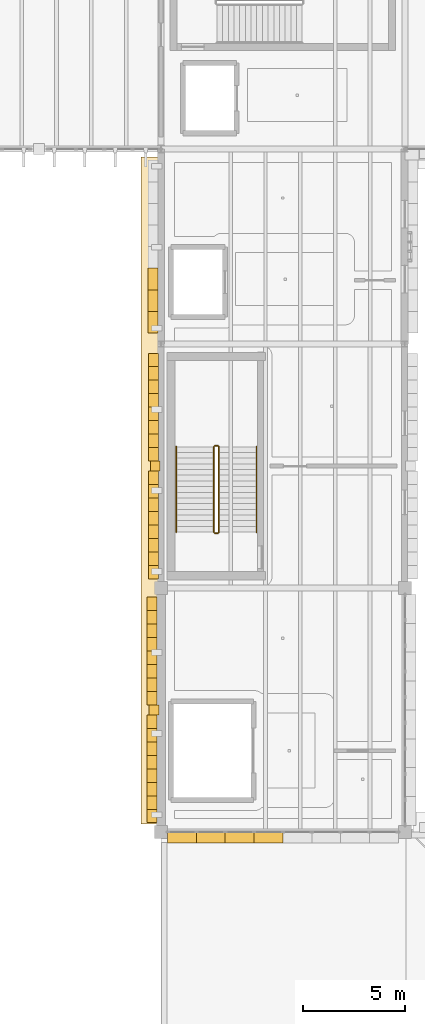
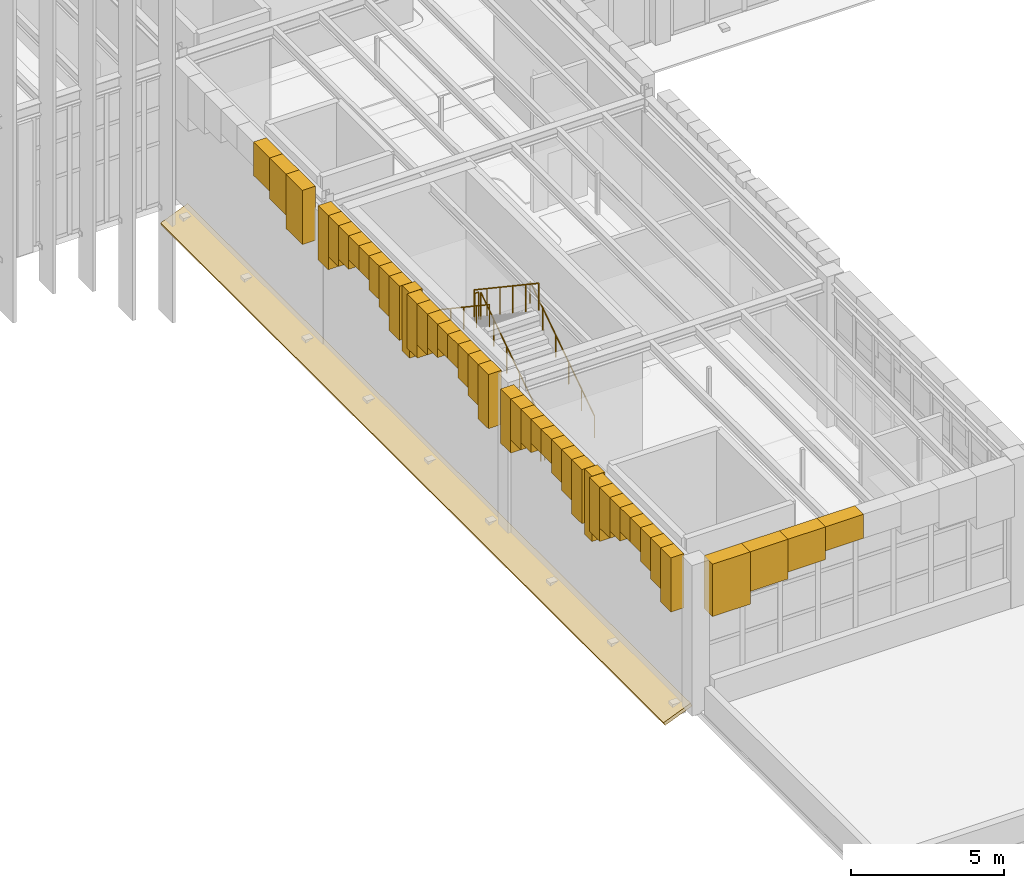
# One storey, part 60 of 83: 42 coverings, 6 railings.
"""IFC4 building model written with IfcOpenShell, lengths in metres."""

from ifc_helpers import new_model, si_unit, direction, frame, origin, origin_2d, place, context, subcontext, project, spatial, polyline, circle, outline, extrude, material, layer, layer_set, type_object, element, save


model = new_model("IFC4")

# Units and contexts
model_context = context("Model", 3, precision=1e-05, world=origin(), true_north=direction((0.0, 1.0)))
body_context = subcontext(model_context, "Body", "Model", "MODEL_VIEW")
ifc_project = project(units=[si_unit("LENGTHUNIT", "METRE"), si_unit("AREAUNIT", "SQUARE_METRE"), si_unit("VOLUMEUNIT", "CUBIC_METRE"), si_unit("PLANEANGLEUNIT", "RADIAN"), si_unit("MASSUNIT", "GRAM", prefix="KILO")], contexts=[model_context])

# Site, building, storey
site_placement = place(None, origin())
site = spatial("IfcSite", under=ifc_project, at=site_placement, CompositionType="ELEMENT")
building_placement = place(site_placement, origin())
building = spatial("IfcBuilding", under=site, at=building_placement, Name="Zlatogorsky Bluff Art Gallery", CompositionType="ELEMENT")
storey_placement = place(building_placement, frame((0.0, 0.0, 10.800048828125)))
storey = spatial("IfcBuildingStorey", under=building, at=storey_placement, Name="L02", CompositionType="ELEMENT", Elevation=10.800048828125)

# Coverings
ifc_material_1 = material(Name="Honed Red Agra-Tone Quartzitic Sandstone", Category="masonry")
ifc_layer = layer(ifc_material_1, 0.1201171875)
ifc_layer_set = layer_set([ifc_layer], Name="Carved Sandstone Cladding CLD-02")
covering_type = type_object("IfcCoveringType", Name="Carved Sandstone Cladding CLD-02", PredefinedType="CLADDING", material=ifc_layer_set)
covering_1_placement = place(storey_placement, frame((0.0, 0.0, 3.877685546875)))
element("IfcCovering", 1, at=covering_1_placement, inside=storey, type_object=covering_type, Name="Pointed Mughal arch voussoir spandrel ARCH-CW-L02-S-10-05.1", PredefinedType="CLADDING", context=body_context, shape_type="SweptSolid", body=[
    extrude(outline(polyline([(120.320068359375, 49.860107421875), (121.739990234375, 49.860107421875), (121.739990234375, 50.429931640625), (120.320068359375, 50.429931640625), (120.320068359375, 49.860107421875)])), origin(), (0.0, 0.0, 1.0), 2.082275390625),
])
covering_2_placement = place(storey_placement, frame((0.0, 0.0, 4.379638671875)))
element("IfcCovering", 2, at=covering_2_placement, inside=storey, type_object=covering_type, Name="Pointed Mughal arch voussoir spandrel ARCH-CW-L02-S-10-05.2", PredefinedType="CLADDING", context=body_context, shape_type="SweptSolid", body=[
    extrude(outline(polyline([(121.739990234375, 49.860107421875), (123.159912109375, 49.860107421875), (123.159912109375, 50.429931640625), (121.739990234375, 50.429931640625), (121.739990234375, 49.860107421875)])), origin(), (0.0, 0.0, 1.0), 1.580322265625),
])
covering_3_placement = place(storey_placement, frame((0.0, 0.0, 4.65625)))
element("IfcCovering", 3, at=covering_3_placement, inside=storey, type_object=covering_type, Name="Pointed Mughal arch voussoir spandrel ARCH-CW-L02-S-10-05.3", PredefinedType="CLADDING", context=body_context, shape_type="SweptSolid", body=[
    extrude(outline(polyline([(123.159912109375, 49.860107421875), (124.580078125, 49.860107421875), (124.580078125, 50.429931640625), (123.159912109375, 50.429931640625), (123.159912109375, 49.860107421875)])), origin(), (0.0, 0.0, 1.0), 1.3037109375),
])
covering_4_placement = place(storey_placement, frame((0.0, 0.0, 5.00439453125)))
element("IfcCovering", 4, at=covering_4_placement, inside=storey, type_object=covering_type, Name="Pointed Mughal arch voussoir spandrel ARCH-CW-L02-S-10-05.4", PredefinedType="CLADDING", context=body_context, shape_type="SweptSolid", body=[
    extrude(outline(polyline([(124.580078125, 49.860107421875), (126.0, 49.860107421875), (126.0, 50.429931640625), (124.580078125, 50.429931640625), (124.580078125, 49.860107421875)])), origin(), (0.0, 0.0, 1.0), 0.95556640625),
])
covering_5_placement = place(storey_placement, frame((0.0, 0.0, 3.35986328125)))
element("IfcCovering", 5, at=covering_5_placement, inside=storey, type_object=covering_type, Name="Mughal blind-arch sandstone pilaster L02.W.10.5", PredefinedType="CLADDING", context=body_context, shape_type="SweptSolid", body=[
    extrude(outline(polyline([(119.419921875, 56.159912109375), (119.89990234375, 56.159912109375), (119.89990234375, 56.639892578125), (119.419921875, 56.639892578125), (119.419921875, 56.159912109375)])), origin(), (0.0, 0.0, 1.0), 2.60009765625),
])
covering_6_placement = place(storey_placement, frame((0.0, 0.0, 3.80224609375)))
element("IfcCovering", 6, at=covering_6_placement, inside=storey, type_object=covering_type, Name="Pointed Mughal arch voussoir spandrel WARCH-L02-W-10-05-A.1", PredefinedType="CLADDING", context=body_context, shape_type="SweptSolid", body=[
    extrude(outline(polyline([(119.320068359375, 50.85009765625), (119.320068359375, 51.512451171875), (119.81005859375, 51.512451171875), (119.81005859375, 50.85009765625), (119.320068359375, 50.85009765625)])), origin(), (0.0, 0.0, 1.0), 2.15771484375),
])
covering_7_placement = place(storey_placement, frame((0.0, 0.0, 4.333740234375)))
element("IfcCovering", 7, at=covering_7_placement, inside=storey, type_object=covering_type, Name="Pointed Mughal arch voussoir spandrel WARCH-L02-W-10-05-A.2", PredefinedType="CLADDING", context=body_context, shape_type="SweptSolid", body=[
    extrude(outline(polyline([(119.320068359375, 51.512451171875), (119.320068359375, 52.175048828125), (119.81005859375, 52.175048828125), (119.81005859375, 51.512451171875), (119.320068359375, 51.512451171875)])), origin(), (0.0, 0.0, 1.0), 1.626220703125),
])
covering_8_placement = place(storey_placement, frame((0.0, 0.0, 4.626708984375)))
element("IfcCovering", 8, at=covering_8_placement, inside=storey, type_object=covering_type, Name="Pointed Mughal arch voussoir spandrel WARCH-L02-W-10-05-A.3", PredefinedType="CLADDING", context=body_context, shape_type="SweptSolid", body=[
    extrude(outline(polyline([(119.320068359375, 52.175048828125), (119.320068359375, 52.83740234375), (119.81005859375, 52.83740234375), (119.81005859375, 52.175048828125), (119.320068359375, 52.175048828125)])), origin(), (0.0, 0.0, 1.0), 1.333251953125),
])
covering_9_placement = place(storey_placement, frame((0.0, 0.0, 4.995361328125)))
element("IfcCovering", 9, at=covering_9_placement, inside=storey, type_object=covering_type, Name="Pointed Mughal arch voussoir spandrel WARCH-L02-W-10-05-A.4", PredefinedType="CLADDING", context=body_context, shape_type="SweptSolid", body=[
    extrude(outline(polyline([(119.320068359375, 52.83740234375), (119.320068359375, 53.5), (119.81005859375, 53.5), (119.81005859375, 52.83740234375), (119.320068359375, 52.83740234375)])), origin(), (0.0, 0.0, 1.0), 0.964599609375),
])
covering_10_placement = place(storey_placement, frame((0.0, 0.0, 4.995361328125)))
element("IfcCovering", 10, at=covering_10_placement, inside=storey, type_object=covering_type, Name="Pointed Mughal arch voussoir spandrel WARCH-L02-W-10-05-A.5", PredefinedType="CLADDING", context=body_context, shape_type="SweptSolid", body=[
    extrude(outline(polyline([(119.320068359375, 53.5), (119.320068359375, 54.16259765625), (119.81005859375, 54.16259765625), (119.81005859375, 53.5), (119.320068359375, 53.5)])), origin(), (0.0, 0.0, 1.0), 0.964599609375),
])
covering_11_placement = place(storey_placement, frame((0.0, 0.0, 4.626708984375)))
element("IfcCovering", 11, at=covering_11_placement, inside=storey, type_object=covering_type, Name="Pointed Mughal arch voussoir spandrel WARCH-L02-W-10-05-A.6", PredefinedType="CLADDING", context=body_context, shape_type="SweptSolid", body=[
    extrude(outline(polyline([(119.320068359375, 54.16259765625), (119.320068359375, 54.824951171875), (119.81005859375, 54.824951171875), (119.81005859375, 54.16259765625), (119.320068359375, 54.16259765625)])), origin(), (0.0, 0.0, 1.0), 1.333251953125),
])
covering_12_placement = place(storey_placement, frame((0.0, 0.0, 4.333740234375)))
element("IfcCovering", 12, at=covering_12_placement, inside=storey, type_object=covering_type, Name="Pointed Mughal arch voussoir spandrel WARCH-L02-W-10-05-A.7", PredefinedType="CLADDING", context=body_context, shape_type="SweptSolid", body=[
    extrude(outline(polyline([(119.320068359375, 54.824951171875), (119.320068359375, 55.487548828125), (119.81005859375, 55.487548828125), (119.81005859375, 54.824951171875), (119.320068359375, 54.824951171875)])), origin(), (0.0, 0.0, 1.0), 1.626220703125),
])
covering_13_placement = place(storey_placement, frame((0.0, 0.0, 3.80224609375)))
element("IfcCovering", 13, at=covering_13_placement, inside=storey, type_object=covering_type, Name="Pointed Mughal arch voussoir spandrel WARCH-L02-W-10-05-A.8", PredefinedType="CLADDING", context=body_context, shape_type="SweptSolid", body=[
    extrude(outline(polyline([(119.320068359375, 55.487548828125), (119.320068359375, 56.14990234375), (119.81005859375, 56.14990234375), (119.81005859375, 55.487548828125), (119.320068359375, 55.487548828125)])), origin(), (0.0, 0.0, 1.0), 2.15771484375),
])
covering_14_placement = place(storey_placement, frame((0.0, 0.0, 3.80224609375)))
element("IfcCovering", 14, at=covering_14_placement, inside=storey, type_object=covering_type, Name="Pointed Mughal arch voussoir spandrel WARCH-L02-W-10-05-B.1", PredefinedType="CLADDING", context=body_context, shape_type="SweptSolid", body=[
    extrude(outline(polyline([(119.320068359375, 56.64990234375), (119.320068359375, 57.3125), (119.81005859375, 57.3125), (119.81005859375, 56.64990234375), (119.320068359375, 56.64990234375)])), origin(), (0.0, 0.0, 1.0), 2.15771484375),
])
covering_15_placement = place(storey_placement, frame((0.0, 0.0, 4.333740234375)))
element("IfcCovering", 15, at=covering_15_placement, inside=storey, type_object=covering_type, Name="Pointed Mughal arch voussoir spandrel WARCH-L02-W-10-05-B.2", PredefinedType="CLADDING", context=body_context, shape_type="SweptSolid", body=[
    extrude(outline(polyline([(119.320068359375, 57.3125), (119.320068359375, 57.97509765625), (119.81005859375, 57.97509765625), (119.81005859375, 57.3125), (119.320068359375, 57.3125)])), origin(), (0.0, 0.0, 1.0), 1.626220703125),
])
covering_16_placement = place(storey_placement, frame((0.0, 0.0, 4.626708984375)))
element("IfcCovering", 16, at=covering_16_placement, inside=storey, type_object=covering_type, Name="Pointed Mughal arch voussoir spandrel WARCH-L02-W-10-05-B.3", PredefinedType="CLADDING", context=body_context, shape_type="SweptSolid", body=[
    extrude(outline(polyline([(119.320068359375, 57.97509765625), (119.320068359375, 58.637451171875), (119.81005859375, 58.637451171875), (119.81005859375, 57.97509765625), (119.320068359375, 57.97509765625)])), origin(), (0.0, 0.0, 1.0), 1.333251953125),
])
covering_17_placement = place(storey_placement, frame((0.0, 0.0, 4.995361328125)))
element("IfcCovering", 17, at=covering_17_placement, inside=storey, type_object=covering_type, Name="Pointed Mughal arch voussoir spandrel WARCH-L02-W-10-05-B.4", PredefinedType="CLADDING", context=body_context, shape_type="SweptSolid", body=[
    extrude(outline(polyline([(119.320068359375, 58.637451171875), (119.320068359375, 59.300048828125), (119.81005859375, 59.300048828125), (119.81005859375, 58.637451171875), (119.320068359375, 58.637451171875)])), origin(), (0.0, 0.0, 1.0), 0.964599609375),
])
covering_18_placement = place(storey_placement, frame((0.0, 0.0, 4.995361328125)))
element("IfcCovering", 18, at=covering_18_placement, inside=storey, type_object=covering_type, Name="Pointed Mughal arch voussoir spandrel WARCH-L02-W-10-05-B.5", PredefinedType="CLADDING", context=body_context, shape_type="SweptSolid", body=[
    extrude(outline(polyline([(119.320068359375, 59.300048828125), (119.320068359375, 59.96240234375), (119.81005859375, 59.96240234375), (119.81005859375, 59.300048828125), (119.320068359375, 59.300048828125)])), origin(), (0.0, 0.0, 1.0), 0.964599609375),
])
covering_19_placement = place(storey_placement, frame((0.0, 0.0, 4.626708984375)))
element("IfcCovering", 19, at=covering_19_placement, inside=storey, type_object=covering_type, Name="Pointed Mughal arch voussoir spandrel WARCH-L02-W-10-05-B.6", PredefinedType="CLADDING", context=body_context, shape_type="SweptSolid", body=[
    extrude(outline(polyline([(119.320068359375, 59.96240234375), (119.320068359375, 60.625), (119.81005859375, 60.625), (119.81005859375, 59.96240234375), (119.320068359375, 59.96240234375)])), origin(), (0.0, 0.0, 1.0), 1.333251953125),
])
covering_20_placement = place(storey_placement, frame((0.0, 0.0, 4.333740234375)))
element("IfcCovering", 20, at=covering_20_placement, inside=storey, type_object=covering_type, Name="Pointed Mughal arch voussoir spandrel WARCH-L02-W-10-05-B.7", PredefinedType="CLADDING", context=body_context, shape_type="SweptSolid", body=[
    extrude(outline(polyline([(119.320068359375, 60.625), (119.320068359375, 61.28759765625), (119.81005859375, 61.28759765625), (119.81005859375, 60.625), (119.320068359375, 60.625)])), origin(), (0.0, 0.0, 1.0), 1.626220703125),
])
covering_21_placement = place(storey_placement, frame((0.0, 0.0, 3.80224609375)))
element("IfcCovering", 21, at=covering_21_placement, inside=storey, type_object=covering_type, Name="Pointed Mughal arch voussoir spandrel WARCH-L02-W-10-05-B.8", PredefinedType="CLADDING", context=body_context, shape_type="SweptSolid", body=[
    extrude(outline(polyline([(119.320068359375, 61.28759765625), (119.320068359375, 61.949951171875), (119.81005859375, 61.949951171875), (119.81005859375, 61.28759765625), (119.320068359375, 61.28759765625)])), origin(), (0.0, 0.0, 1.0), 2.15771484375),
])
covering_22_placement = place(storey_placement, frame((0.0, 0.0, 3.35986328125)))
element("IfcCovering", 22, at=covering_22_placement, inside=storey, type_object=covering_type, Name="Mughal blind-arch sandstone pilaster L02.W.10.6", PredefinedType="CLADDING", context=body_context, shape_type="SweptSolid", body=[
    extrude(outline(polyline([(119.47998046875, 68.159912109375), (119.9599609375, 68.159912109375), (119.9599609375, 68.639892578125), (119.47998046875, 68.639892578125), (119.47998046875, 68.159912109375)])), origin(), (0.0, 0.0, 1.0), 2.60009765625),
])
covering_23_placement = place(storey_placement, frame((0.0, 0.0, 3.80224609375)))
element("IfcCovering", 23, at=covering_23_placement, inside=storey, type_object=covering_type, Name="Pointed Mughal arch voussoir spandrel WARCH-L02-W-10-06-A.1", PredefinedType="CLADDING", context=body_context, shape_type="SweptSolid", body=[
    extrude(outline(polyline([(119.3798828125, 62.85009765625), (119.3798828125, 63.512451171875), (119.8701171875, 63.512451171875), (119.8701171875, 62.85009765625), (119.3798828125, 62.85009765625)])), origin(), (0.0, 0.0, 1.0), 2.15771484375),
])
covering_24_placement = place(storey_placement, frame((0.0, 0.0, 4.333740234375)))
element("IfcCovering", 24, at=covering_24_placement, inside=storey, type_object=covering_type, Name="Pointed Mughal arch voussoir spandrel WARCH-L02-W-10-06-A.2", PredefinedType="CLADDING", context=body_context, shape_type="SweptSolid", body=[
    extrude(outline(polyline([(119.3798828125, 63.512451171875), (119.3798828125, 64.175048828125), (119.8701171875, 64.175048828125), (119.8701171875, 63.512451171875), (119.3798828125, 63.512451171875)])), origin(), (0.0, 0.0, 1.0), 1.626220703125),
])
covering_25_placement = place(storey_placement, frame((0.0, 0.0, 4.626708984375)))
element("IfcCovering", 25, at=covering_25_placement, inside=storey, type_object=covering_type, Name="Pointed Mughal arch voussoir spandrel WARCH-L02-W-10-06-A.3", PredefinedType="CLADDING", context=body_context, shape_type="SweptSolid", body=[
    extrude(outline(polyline([(119.3798828125, 64.175048828125), (119.3798828125, 64.83740234375), (119.8701171875, 64.83740234375), (119.8701171875, 64.175048828125), (119.3798828125, 64.175048828125)])), origin(), (0.0, 0.0, 1.0), 1.333251953125),
])
covering_26_placement = place(storey_placement, frame((0.0, 0.0, 4.995361328125)))
element("IfcCovering", 26, at=covering_26_placement, inside=storey, type_object=covering_type, Name="Pointed Mughal arch voussoir spandrel WARCH-L02-W-10-06-A.4", PredefinedType="CLADDING", context=body_context, shape_type="SweptSolid", body=[
    extrude(outline(polyline([(119.3798828125, 64.83740234375), (119.3798828125, 65.5), (119.8701171875, 65.5), (119.8701171875, 64.83740234375), (119.3798828125, 64.83740234375)])), origin(), (0.0, 0.0, 1.0), 0.964599609375),
])
covering_27_placement = place(storey_placement, frame((0.0, 0.0, 4.995361328125)))
element("IfcCovering", 27, at=covering_27_placement, inside=storey, type_object=covering_type, Name="Pointed Mughal arch voussoir spandrel WARCH-L02-W-10-06-A.5", PredefinedType="CLADDING", context=body_context, shape_type="SweptSolid", body=[
    extrude(outline(polyline([(119.3798828125, 65.5), (119.3798828125, 66.16259765625), (119.8701171875, 66.16259765625), (119.8701171875, 65.5), (119.3798828125, 65.5)])), origin(), (0.0, 0.0, 1.0), 0.964599609375),
])
covering_28_placement = place(storey_placement, frame((0.0, 0.0, 4.626708984375)))
element("IfcCovering", 28, at=covering_28_placement, inside=storey, type_object=covering_type, Name="Pointed Mughal arch voussoir spandrel WARCH-L02-W-10-06-A.6", PredefinedType="CLADDING", context=body_context, shape_type="SweptSolid", body=[
    extrude(outline(polyline([(119.3798828125, 66.16259765625), (119.3798828125, 66.824951171875), (119.8701171875, 66.824951171875), (119.8701171875, 66.16259765625), (119.3798828125, 66.16259765625)])), origin(), (0.0, 0.0, 1.0), 1.333251953125),
])
covering_29_placement = place(storey_placement, frame((0.0, 0.0, 4.333740234375)))
element("IfcCovering", 29, at=covering_29_placement, inside=storey, type_object=covering_type, Name="Pointed Mughal arch voussoir spandrel WARCH-L02-W-10-06-A.7", PredefinedType="CLADDING", context=body_context, shape_type="SweptSolid", body=[
    extrude(outline(polyline([(119.3798828125, 66.824951171875), (119.3798828125, 67.487548828125), (119.8701171875, 67.487548828125), (119.8701171875, 66.824951171875), (119.3798828125, 66.824951171875)])), origin(), (0.0, 0.0, 1.0), 1.626220703125),
])
covering_30_placement = place(storey_placement, frame((0.0, 0.0, 3.80224609375)))
element("IfcCovering", 30, at=covering_30_placement, inside=storey, type_object=covering_type, Name="Pointed Mughal arch voussoir spandrel WARCH-L02-W-10-06-A.8", PredefinedType="CLADDING", context=body_context, shape_type="SweptSolid", body=[
    extrude(outline(polyline([(119.3798828125, 67.487548828125), (119.3798828125, 68.14990234375), (119.8701171875, 68.14990234375), (119.8701171875, 67.487548828125), (119.3798828125, 67.487548828125)])), origin(), (0.0, 0.0, 1.0), 2.15771484375),
])
covering_31_placement = place(storey_placement, frame((0.0, 0.0, 3.80224609375)))
element("IfcCovering", 31, at=covering_31_placement, inside=storey, type_object=covering_type, Name="Pointed Mughal arch voussoir spandrel WARCH-L02-W-10-06-B.1", PredefinedType="CLADDING", context=body_context, shape_type="SweptSolid", body=[
    extrude(outline(polyline([(119.3798828125, 68.64990234375), (119.3798828125, 69.3125), (119.8701171875, 69.3125), (119.8701171875, 68.64990234375), (119.3798828125, 68.64990234375)])), origin(), (0.0, 0.0, 1.0), 2.15771484375),
])
covering_32_placement = place(storey_placement, frame((0.0, 0.0, 4.333740234375)))
element("IfcCovering", 32, at=covering_32_placement, inside=storey, type_object=covering_type, Name="Pointed Mughal arch voussoir spandrel WARCH-L02-W-10-06-B.2", PredefinedType="CLADDING", context=body_context, shape_type="SweptSolid", body=[
    extrude(outline(polyline([(119.3798828125, 69.3125), (119.3798828125, 69.97509765625), (119.8701171875, 69.97509765625), (119.8701171875, 69.3125), (119.3798828125, 69.3125)])), origin(), (0.0, 0.0, 1.0), 1.626220703125),
])
covering_33_placement = place(storey_placement, frame((0.0, 0.0, 4.626708984375)))
element("IfcCovering", 33, at=covering_33_placement, inside=storey, type_object=covering_type, Name="Pointed Mughal arch voussoir spandrel WARCH-L02-W-10-06-B.3", PredefinedType="CLADDING", context=body_context, shape_type="SweptSolid", body=[
    extrude(outline(polyline([(119.3798828125, 69.97509765625), (119.3798828125, 70.637451171875), (119.8701171875, 70.637451171875), (119.8701171875, 69.97509765625), (119.3798828125, 69.97509765625)])), origin(), (0.0, 0.0, 1.0), 1.333251953125),
])
covering_34_placement = place(storey_placement, frame((0.0, 0.0, 4.995361328125)))
element("IfcCovering", 34, at=covering_34_placement, inside=storey, type_object=covering_type, Name="Pointed Mughal arch voussoir spandrel WARCH-L02-W-10-06-B.4", PredefinedType="CLADDING", context=body_context, shape_type="SweptSolid", body=[
    extrude(outline(polyline([(119.3798828125, 70.637451171875), (119.3798828125, 71.300048828125), (119.8701171875, 71.300048828125), (119.8701171875, 70.637451171875), (119.3798828125, 70.637451171875)])), origin(), (0.0, 0.0, 1.0), 0.964599609375),
])
covering_35_placement = place(storey_placement, frame((0.0, 0.0, 4.995361328125)))
element("IfcCovering", 35, at=covering_35_placement, inside=storey, type_object=covering_type, Name="Pointed Mughal arch voussoir spandrel WARCH-L02-W-10-06-B.5", PredefinedType="CLADDING", context=body_context, shape_type="SweptSolid", body=[
    extrude(outline(polyline([(119.3798828125, 71.300048828125), (119.3798828125, 71.96240234375), (119.8701171875, 71.96240234375), (119.8701171875, 71.300048828125), (119.3798828125, 71.300048828125)])), origin(), (0.0, 0.0, 1.0), 0.964599609375),
])
covering_36_placement = place(storey_placement, frame((0.0, 0.0, 4.626708984375)))
element("IfcCovering", 36, at=covering_36_placement, inside=storey, type_object=covering_type, Name="Pointed Mughal arch voussoir spandrel WARCH-L02-W-10-06-B.6", PredefinedType="CLADDING", context=body_context, shape_type="SweptSolid", body=[
    extrude(outline(polyline([(119.3798828125, 71.96240234375), (119.3798828125, 72.625), (119.8701171875, 72.625), (119.8701171875, 71.96240234375), (119.3798828125, 71.96240234375)])), origin(), (0.0, 0.0, 1.0), 1.333251953125),
])
covering_37_placement = place(storey_placement, frame((0.0, 0.0, 4.333740234375)))
element("IfcCovering", 37, at=covering_37_placement, inside=storey, type_object=covering_type, Name="Pointed Mughal arch voussoir spandrel WARCH-L02-W-10-06-B.7", PredefinedType="CLADDING", context=body_context, shape_type="SweptSolid", body=[
    extrude(outline(polyline([(119.3798828125, 72.625), (119.3798828125, 73.28759765625), (119.8701171875, 73.28759765625), (119.8701171875, 72.625), (119.3798828125, 72.625)])), origin(), (0.0, 0.0, 1.0), 1.626220703125),
])
covering_38_placement = place(storey_placement, frame((0.0, 0.0, 3.80224609375)))
element("IfcCovering", 38, at=covering_38_placement, inside=storey, type_object=covering_type, Name="Pointed Mughal arch voussoir spandrel WARCH-L02-W-10-06-B.8", PredefinedType="CLADDING", context=body_context, shape_type="SweptSolid", body=[
    extrude(outline(polyline([(119.3798828125, 73.28759765625), (119.3798828125, 73.949951171875), (119.8701171875, 73.949951171875), (119.8701171875, 73.28759765625), (119.3798828125, 73.28759765625)])), origin(), (0.0, 0.0, 1.0), 2.15771484375),
])
covering_39_placement = place(storey_placement, frame((0.0, 0.0, 3.80224609375)))
element("IfcCovering", 39, at=covering_39_placement, inside=storey, type_object=covering_type, Name="Pointed Mughal arch voussoir spandrel WARCH-L02-W-10-07-A.1", PredefinedType="CLADDING", context=body_context, shape_type="SweptSolid", body=[
    extrude(outline(polyline([(119.360107421875, 74.949951171875), (119.360107421875, 76.012451171875), (119.85009765625, 76.012451171875), (119.85009765625, 74.949951171875), (119.360107421875, 74.949951171875)])), origin(), (0.0, 0.0, 1.0), 2.15771484375),
])
covering_40_placement = place(storey_placement, frame((0.0, 0.0, 4.333740234375)))
element("IfcCovering", 40, at=covering_40_placement, inside=storey, type_object=covering_type, Name="Pointed Mughal arch voussoir spandrel WARCH-L02-W-10-07-A.2", PredefinedType="CLADDING", context=body_context, shape_type="SweptSolid", body=[
    extrude(outline(polyline([(119.360107421875, 76.012451171875), (119.360107421875, 77.074951171875), (119.85009765625, 77.074951171875), (119.85009765625, 76.012451171875), (119.360107421875, 76.012451171875)])), origin(), (0.0, 0.0, 1.0), 1.626220703125),
])
covering_41_placement = place(storey_placement, frame((0.0, 0.0, 4.626708984375)))
element("IfcCovering", 41, at=covering_41_placement, inside=storey, type_object=covering_type, Name="Pointed Mughal arch voussoir spandrel WARCH-L02-W-10-07-A.3", PredefinedType="CLADDING", context=body_context, shape_type="SweptSolid", body=[
    extrude(outline(polyline([(119.360107421875, 77.074951171875), (119.360107421875, 78.137451171875), (119.85009765625, 78.137451171875), (119.85009765625, 77.074951171875), (119.360107421875, 77.074951171875)])), origin(), (0.0, 0.0, 1.0), 1.333251953125),
])
covering_42_placement = place(storey_placement, frame((120.0400390625, 50.800048828125, -0.0400390625), z_axis=(-0.380683013172, 0.0, 0.924705598276), x_axis=(0.0, 1.0, 0.0)))
element("IfcCovering", 42, at=covering_42_placement, inside=storey, type_object=covering_type, Name="Projecting sloped Mughal chhajja stone eave CHJ-LINK-W-L02", PredefinedType="CLADDING", context=body_context, shape_type="SweptSolid", body=[
    extrude(outline(polyline([(0.0, 0.0), (32.800048828125, 0.0), (32.800048828125, 1.1030748955691927), (0.0, 1.1030748955691927), (0.0, 0.0)])), origin(), (0.0, 0.0, -1.0), 0.139892578125),
])

# Railings
ifc_material_2 = material(Name="Architectural Bronze and Laminated Glass", Category="glass")
railing_type_1 = type_object("IfcRailingType", Name="Gallery Guard Rail 1100mm", PredefinedType="GUARDRAIL", material=ifc_material_2)
railing_1_placement = place(storey_placement, frame((122.85009765625, 65.14990234375, 0.1875)))
element("IfcRailing", 43, at=railing_1_placement, inside=storey, type_object=railing_type_1, Name="L02 ST-06 stair guard 1", PredefinedType="GUARDRAIL", context=body_context, shape_type="SweptSolid", body=[
    extrude(circle(Radius=0.02392578125, at=origin_2d()), frame((0.0, 0.0, 1.076171875), z_axis=(0.0, 0.830919138977, 0.55639319234), x_axis=(-1.0, 0.0, 0.0)), (0.0, 0.0, 1.0), 5.054931640625),
    extrude(circle(Radius=0.02099609375, at=origin_2d()), origin(), (0.0, 0.0, 1.0), 1.052001953125),
    extrude(circle(Radius=0.02099609375, at=origin_2d()), frame((0.0, 0.840087890625, 0.5625)), (0.0, 0.0, 1.0), 1.052001953125),
    extrude(circle(Radius=0.02099609375, at=origin_2d()), frame((0.0, 1.68017578125, 1.125)), (0.0, 0.0, 1.0), 1.052001953125),
    extrude(circle(Radius=0.02099609375, at=origin_2d()), frame((0.0, 2.52001953125, 1.6875)), (0.0, 0.0, 1.0), 1.052001953125),
    extrude(circle(Radius=0.02099609375, at=origin_2d()), frame((0.0, 3.360107421875, 2.25)), (0.0, 0.0, 1.0), 1.052001953125),
    extrude(circle(Radius=0.02099609375, at=origin_2d()), frame((0.0, 4.2001953125, 2.8125)), (0.0, 0.0, 1.0), 1.052001953125),
])
railing_2_placement = place(storey_placement, frame((122.800048828125, 69.39990234375, 3.0)))
element("IfcRailing", 44, at=railing_2_placement, inside=storey, type_object=railing_type_1, Name="L02 ST-06 stair guard 2", PredefinedType="GUARDRAIL", context=body_context, shape_type="SweptSolid", body=[
    extrude(circle(Radius=0.02392578125, at=origin_2d()), frame((0.0, 0.0, 1.076171875), z_axis=(-1.0, 0.0, 0.0), x_axis=(0.0, -1.0, 0.0)), (0.0, 0.0, 1.0), 0.150146484375),
    extrude(circle(Radius=0.02099609375, at=origin_2d()), origin(), (0.0, 0.0, 1.0), 1.052001953125),
    extrude(circle(Radius=0.02099609375, at=origin_2d()), frame((-0.150146484375, 0.0, 0.0)), (0.0, 0.0, 1.0), 1.052001953125),
])
railing_3_placement = place(storey_placement, frame((122.60009765625, 69.35009765625, 3.1875)))
element("IfcRailing", 45, at=railing_3_placement, inside=storey, type_object=railing_type_1, Name="L02 ST-06 stair guard 3", PredefinedType="GUARDRAIL", context=body_context, shape_type="SweptSolid", body=[
    extrude(circle(Radius=0.02392578125, at=origin_2d()), frame((0.0, 0.0, 1.076171875), z_axis=(0.0, -0.830919138977, 0.55639319234), x_axis=(1.0, 0.0, 0.0)), (0.0, 0.0, 1.0), 5.054931640625),
    extrude(circle(Radius=0.02099609375, at=origin_2d()), origin(), (0.0, 0.0, 1.0), 1.052001953125),
    extrude(circle(Radius=0.02099609375, at=origin_2d()), frame((0.0, -0.840087890625, 0.5625)), (0.0, 0.0, 1.0), 1.052001953125),
    extrude(circle(Radius=0.02099609375, at=origin_2d()), frame((0.0, -1.68017578125, 1.125)), (0.0, 0.0, 1.0), 1.052001953125),
    extrude(circle(Radius=0.02099609375, at=origin_2d()), frame((0.0, -2.52001953125, 1.6875)), (0.0, 0.0, 1.0), 1.052001953125),
    extrude(circle(Radius=0.02099609375, at=origin_2d()), frame((0.0, -3.360107421875, 2.25)), (0.0, 0.0, 1.0), 1.052001953125),
    extrude(circle(Radius=0.02099609375, at=origin_2d()), frame((0.0, -4.2001953125, 2.8125)), (0.0, 0.0, 1.0), 1.052001953125),
])
railing_4_placement = place(storey_placement, frame((122.800048828125, 65.10009765625, 0.0)))
element("IfcRailing", 46, at=railing_4_placement, inside=storey, type_object=railing_type_1, Name="L02 ST-06 stair guard 4", PredefinedType="GUARDRAIL", context=body_context, shape_type="SweptSolid", body=[
    extrude(circle(Radius=0.02392578125, at=origin_2d()), frame((0.0, 0.0, 1.076171875), z_axis=(-1.0, 0.0, 0.0), x_axis=(0.0, -1.0, 0.0)), (0.0, 0.0, 1.0), 0.150146484375),
    extrude(circle(Radius=0.02099609375, at=origin_2d()), origin(), (0.0, 0.0, 1.0), 1.052001953125),
    extrude(circle(Radius=0.02099609375, at=origin_2d()), frame((-0.150146484375, 0.0, 0.0)), (0.0, 0.0, 1.0), 1.052001953125),
])
ifc_material_3 = material(Name="Brushed Stainless Steel", Category="steel")
railing_type_2 = type_object("IfcRailingType", Name="Stair Pitch Handrail 900mm", PredefinedType="HANDRAIL", material=ifc_material_3)
railing_5_placement = place(storey_placement, frame((124.699951171875, 65.14990234375, 0.1875)))
element("IfcRailing", 47, at=railing_5_placement, inside=storey, type_object=railing_type_2, Name="L02 ST-06 stair handrail 1", PredefinedType="HANDRAIL", context=body_context, shape_type="SweptSolid", body=[
    extrude(circle(Radius=0.02392578125, at=origin_2d()), frame((0.0, 0.0, 0.8759765625), z_axis=(0.0, 0.830919138977, 0.55639319234), x_axis=(-1.0, 0.0, 0.0)), (0.0, 0.0, 1.0), 5.054931640625),
    extrude(circle(Radius=0.02099609375, at=origin_2d()), origin(), (0.0, 0.0, 1.0), 0.851806640625),
    extrude(circle(Radius=0.02099609375, at=origin_2d()), frame((0.0, 0.840087890625, 0.5625)), (0.0, 0.0, 1.0), 0.851806640625),
    extrude(circle(Radius=0.02099609375, at=origin_2d()), frame((0.0, 1.68017578125, 1.125)), (0.0, 0.0, 1.0), 0.851806640625),
    extrude(circle(Radius=0.02099609375, at=origin_2d()), frame((0.0, 2.52001953125, 1.6875)), (0.0, 0.0, 1.0), 0.851806640625),
    extrude(circle(Radius=0.02099609375, at=origin_2d()), frame((0.0, 3.360107421875, 2.25)), (0.0, 0.0, 1.0), 0.851806640625),
    extrude(circle(Radius=0.02099609375, at=origin_2d()), frame((0.0, 4.2001953125, 2.8125)), (0.0, 0.0, 1.0), 0.851806640625),
])
railing_6_placement = place(storey_placement, frame((120.75, 69.35009765625, 3.1875)))
element("IfcRailing", 48, at=railing_6_placement, inside=storey, type_object=railing_type_2, Name="L02 ST-06 stair handrail 2", PredefinedType="HANDRAIL", context=body_context, shape_type="SweptSolid", body=[
    extrude(circle(Radius=0.02392578125, at=origin_2d()), frame((0.0, 0.0, 0.8759765625), z_axis=(0.0, -0.830919138977, 0.55639319234), x_axis=(1.0, 0.0, 0.0)), (0.0, 0.0, 1.0), 5.054931640625),
    extrude(circle(Radius=0.02099609375, at=origin_2d()), origin(), (0.0, 0.0, 1.0), 0.851806640625),
    extrude(circle(Radius=0.02099609375, at=origin_2d()), frame((0.0, -0.840087890625, 0.5625)), (0.0, 0.0, 1.0), 0.851806640625),
    extrude(circle(Radius=0.02099609375, at=origin_2d()), frame((0.0, -1.68017578125, 1.125)), (0.0, 0.0, 1.0), 0.851806640625),
    extrude(circle(Radius=0.02099609375, at=origin_2d()), frame((0.0, -2.52001953125, 1.6875)), (0.0, 0.0, 1.0), 0.851806640625),
    extrude(circle(Radius=0.02099609375, at=origin_2d()), frame((0.0, -3.360107421875, 2.25)), (0.0, 0.0, 1.0), 0.851806640625),
    extrude(circle(Radius=0.02099609375, at=origin_2d()), frame((0.0, -4.2001953125, 2.8125)), (0.0, 0.0, 1.0), 0.851806640625),
])

save(model, "model.ifc")
